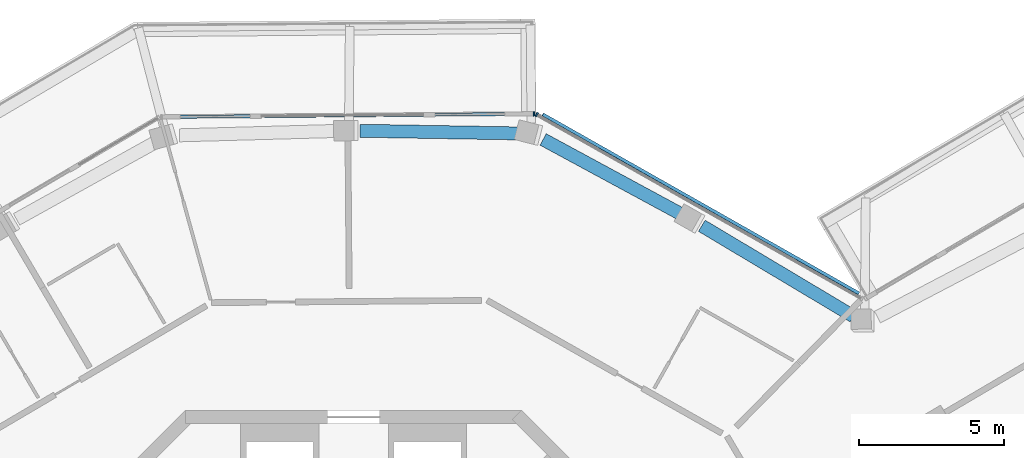
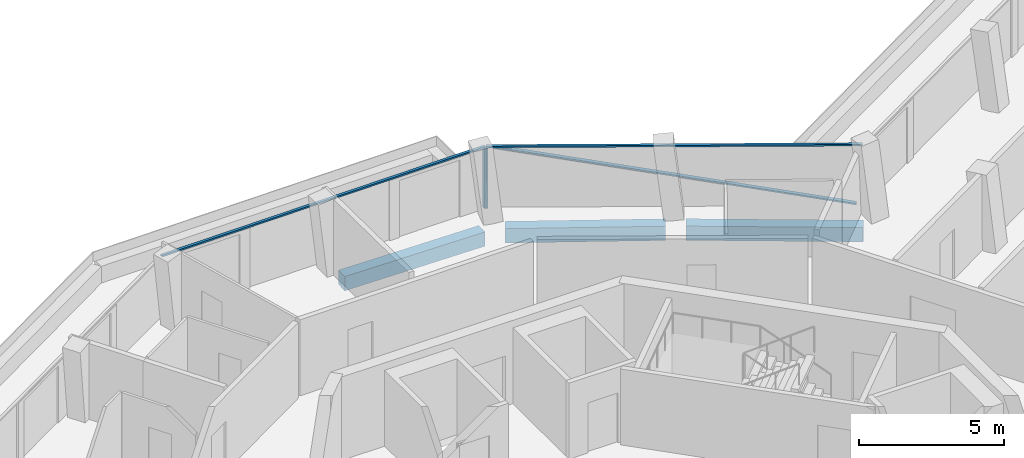
# One storey, part 9 of 26: 5 members, 3 beams, 2 elements without a shape of their own.
"""IFC4 building model written with IfcOpenShell, lengths in metres."""

from ifc_helpers import new_model, si_unit, direction, frame, origin, origin_2d, place, context, subcontext, project, spatial, rectangle, extrude, material, layer, layer_set, material_profile, profile_set, type_object, element, aggregate, save


model = new_model("IFC4")

# Units and contexts
model_context = context("Model", 3, precision=1e-05, world=origin(), true_north=direction((0.0, 1.0)))
body_context = subcontext(model_context, "Body", "Model", "MODEL_VIEW")
ifc_project = project(units=[si_unit("LENGTHUNIT", "METRE"), si_unit("AREAUNIT", "SQUARE_METRE"), si_unit("VOLUMEUNIT", "CUBIC_METRE"), si_unit("PLANEANGLEUNIT", "RADIAN"), si_unit("MASSUNIT", "GRAM", prefix="KILO")], contexts=[model_context])

# Site, building, storey
site_placement = place(None, origin())
site = spatial("IfcSite", under=ifc_project, at=site_placement, CompositionType="ELEMENT")
building_placement = place(site_placement, origin())
building = spatial("IfcBuilding", under=site, at=building_placement, Name="Verdalira Terraces Hotel", CompositionType="ELEMENT")
storey_placement = place(building_placement, frame((0.0, 0.0, 281.0)))
storey = spatial("IfcBuildingStorey", under=building, at=storey_placement, Name="L69", CompositionType="ELEMENT", Elevation=281.0)

# Curtain wall, member
ifc_material_1 = material(Name="Clear glass", Category="glass")
ifc_layer = layer(ifc_material_1, 0.14990234375)
ifc_layer_set = layer_set([ifc_layer], Name="CW1 curtain wall")
curtain_wall_type = type_object("IfcCurtainWallType", Name="CW1 curtain wall", PredefinedType="NOTDEFINED", material=ifc_layer_set)
curtain_wall_1_placement = place(storey_placement, origin())
curtain_wall_1 = element("IfcCurtainWall", 1, at=curtain_wall_1_placement, inside=storey, type_object=curtain_wall_type, Name="CW1 curtain wall L69 edge 39", PredefinedType="NOTDEFINED")
ifc_material_2 = material(Name="Terracotta frame", Category="masonry")
ifc_material_profile_1 = material_profile(ifc_material_2, rectangle(XDim=0.060059, YDim=0.149902, at=origin_2d()), Name="MU 60x150")
ifc_profile_set_1 = profile_set([ifc_material_profile_1], Name="Terracotta frame")
member_type_1 = type_object("IfcMemberType", Name="CW1 mullion 60x150", PredefinedType="MULLION", material=ifc_profile_set_1)
member_1_placement = place(storey_placement, frame((6.320557, 24.212158, 0.0), z_axis=(0.0, 0.0, 1.0), x_axis=(-0.870183755, 0.492727342, 0.0)))
member_1 = element("IfcMember", 2, at=member_1_placement, type_object=member_type_1, Name="CW1 mullion", PredefinedType="MULLION", context=body_context, shape_type="SweptSolid", body=[
    extrude(rectangle(XDim=0.060059, YDim=0.149902, at=origin_2d()), origin(), (0.0, 0.0, 1.0), 2.524902),
])

curtain_wall_2_placement = place(storey_placement, origin())
curtain_wall_2 = element("IfcCurtainWall", 3, at=curtain_wall_2_placement, inside=storey, type_object=curtain_wall_type, Name="CW1 curtain wall L69 edge 40", PredefinedType="NOTDEFINED")
member_2_placement = place(storey_placement, frame((6.227051, 24.236328, 0.0), z_axis=(0.0, 0.0, 1.0), x_axis=(-0.999964908, -0.008377482, 0.0)))
member_2 = element("IfcMember", 4, at=member_2_placement, type_object=member_type_1, Name="CW1 mullion", PredefinedType="MULLION", context=body_context, shape_type="SweptSolid", body=[
    extrude(rectangle(XDim=0.060059, YDim=0.149902, at=origin_2d()), origin(), (0.0, 0.0, 1.0), 2.524902),
])

# Member
ifc_material_3 = material(Name="Terracotta frame", Category="masonry")
ifc_material_profile_2 = material_profile(ifc_material_3, rectangle(XDim=0.110107, YDim=0.064941, at=origin_2d()), Name="TR 65x110")
ifc_profile_set_2 = profile_set([ifc_material_profile_2], Name="Terracotta frame")
member_type_2 = type_object("IfcMemberType", Name="CW1 transom 65x110", PredefinedType="USERDEFINED", material=ifc_profile_set_2)
member_3_placement = place(storey_placement, frame((17.572021, 17.841309, 2.557617), z_axis=(-0.870187516, 0.492720698, 0.0), x_axis=(-0.492720698, -0.870187516, 0.0)))
member_3 = element("IfcMember", 5, at=member_3_placement, type_object=member_type_2, Name="CW1 transom", ObjectType="TRANSOM", PredefinedType="USERDEFINED", context=body_context, shape_type="SweptSolid", body=[
    extrude(rectangle(XDim=0.110107, YDim=0.064941, at=origin_2d()), origin(), (0.0, 0.0, 1.0), 12.959717),
])

member_4_placement = place(storey_placement, frame((6.25708, 24.236572, 2.557617), z_axis=(-0.99996496, -0.008371307, 0.0), x_axis=(0.008371307, -0.99996496, 0.0)))
member_4 = element("IfcMember", 6, at=member_4_placement, type_object=member_type_2, Name="CW1 transom", ObjectType="TRANSOM", PredefinedType="USERDEFINED", context=body_context, shape_type="SweptSolid", body=[
    extrude(rectangle(XDim=0.110107, YDim=0.064941, at=origin_2d()), origin(), (0.0, 0.0, 1.0), 12.919678),
])

aggregate(curtain_wall_2, [member_2, member_4])

ifc_material_4 = material(Name="Terracotta frame", Category="masonry")
ifc_material_profile_3 = material_profile(ifc_material_4, rectangle(XDim=0.149902, YDim=0.060059, at=origin_2d()), Name="GB 60x150")
ifc_profile_set_3 = profile_set([ifc_material_profile_3], Name="Terracotta frame")
member_type_3 = type_object("IfcMemberType", Name="Diagonal glazing bar 60x150", PredefinedType="USERDEFINED", material=ifc_profile_set_3)
member_5_placement = place(storey_placement, frame((17.431641, 18.022949, 0.029785), z_axis=(-0.85383042, 0.483467168, 0.192958834), x_axis=(-0.49272706, -0.870183914, 0.0)))
member_5 = element("IfcMember", 7, at=member_5_placement, type_object=member_type_3, Name="Diagonal glazing bar", ObjectType="GLAZING BAR", PredefinedType="USERDEFINED", context=body_context, shape_type="SweptSolid", body=[
    extrude(rectangle(XDim=0.149902, YDim=0.060059, at=origin_2d()), origin(), (0.0, 0.0, 1.0), 12.776367),
])

aggregate(curtain_wall_1, [member_1, member_3, member_5])

# Beams
ifc_material_5 = material(Name="Concrete C40", Category="concrete")
ifc_material_profile_4 = material_profile(ifc_material_5, rectangle(XDim=0.449951, YDim=0.600098, at=origin_2d()), Name="RC 450X600")
ifc_profile_set_4 = profile_set([ifc_material_profile_4], Name="Concrete C40")
beam_type = type_object("IfcBeamType", Name="Spandrel beam RC 450X600 C40", PredefinedType="SPANDREL", material=ifc_profile_set_4)
beam_1_placement = place(storey_placement, frame((17.254395, 17.245605, -0.610107), z_axis=(-0.858547431, 0.512734151, 0.0), x_axis=(-0.512734151, -0.858547431, 0.0)))
element("IfcBeam", 8, at=beam_1_placement, inside=storey, type_object=beam_type, Name="Spandrel beam B24", PredefinedType="SPANDREL", context=body_context, shape_type="SweptSolid", body=[
    extrude(rectangle(XDim=0.449951, YDim=0.600098, at=origin_2d()), origin(), (0.0, 0.0, 1.0), 6.097656),
])
beam_2_placement = place(storey_placement, frame((11.398193, 20.725098, -0.610107), z_axis=(-0.879537985, 0.475828679, 0.0), x_axis=(-0.475828679, -0.879537985, 0.0)))
element("IfcBeam", 9, at=beam_2_placement, inside=storey, type_object=beam_type, Name="Spandrel beam B25", PredefinedType="SPANDREL", context=body_context, shape_type="SweptSolid", body=[
    extrude(rectangle(XDim=0.449951, YDim=0.600098, at=origin_2d()), origin(), (0.0, 0.0, 1.0), 5.52124),
])
beam_3_placement = place(storey_placement, frame((5.746582, 23.559082, -0.610107), z_axis=(-0.999859676, 0.016751992, 0.0), x_axis=(-0.016751992, -0.999859676, 0.0)))
element("IfcBeam", 10, at=beam_3_placement, inside=storey, type_object=beam_type, Name="Spandrel beam B26", PredefinedType="SPANDREL", context=body_context, shape_type="SweptSolid", body=[
    extrude(rectangle(XDim=0.449951, YDim=0.600098, at=origin_2d()), origin(), (0.0, 0.0, 1.0), 5.523438),
])

save(model, "model.ifc")
